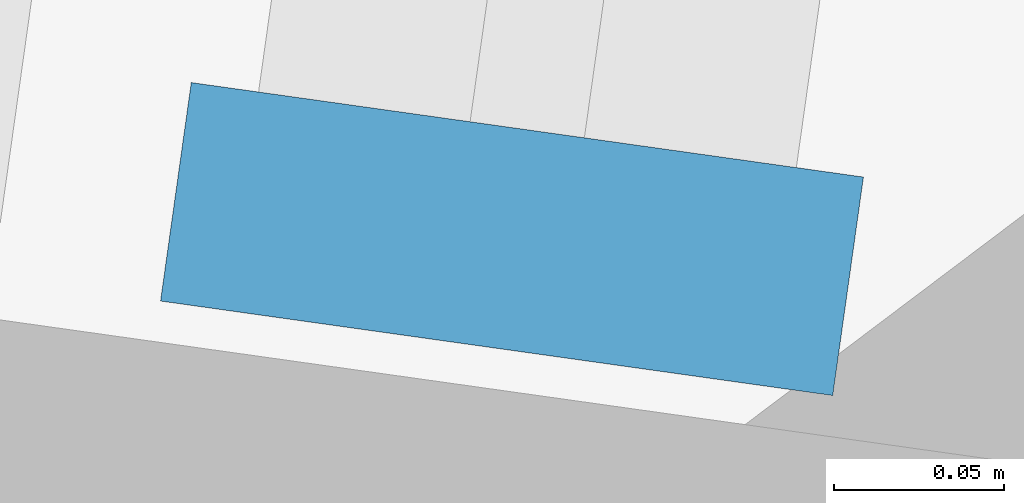
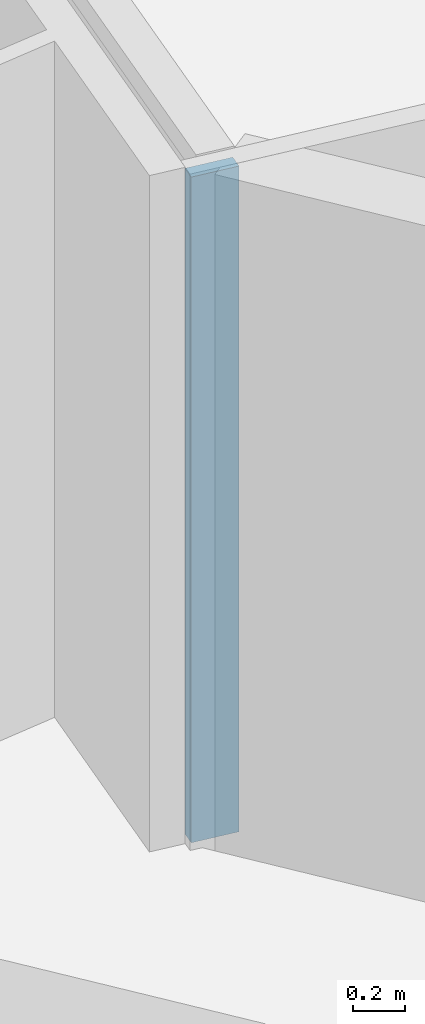
# One storey, part 2 of 46: 1 member, 1 element without a shape of its own.
"""IFC4 building model written with IfcOpenShell, lengths in metres."""

from ifc_helpers import new_model, si_unit, direction, frame, origin, origin_2d, place, context, subcontext, project, spatial, rectangle, extrude, material, material_profile, profile_set, type_object, element, aggregate, save


model = new_model("IFC4")

# Units and contexts
model_context = context("Model", 3, precision=1e-05, world=origin(), true_north=direction((0.0, 1.0)))
body_context = subcontext(model_context, "Body", "Model", "MODEL_VIEW")
ifc_project = project(units=[si_unit("LENGTHUNIT", "METRE"), si_unit("AREAUNIT", "SQUARE_METRE"), si_unit("VOLUMEUNIT", "CUBIC_METRE"), si_unit("PLANEANGLEUNIT", "RADIAN"), si_unit("MASSUNIT", "GRAM", prefix="KILO")], contexts=[model_context])

# Site, building, storey
site_placement = place(None, origin())
site = spatial("IfcSite", under=ifc_project, at=site_placement, CompositionType="ELEMENT")
building_placement = place(site_placement, origin())
building = spatial("IfcBuilding", under=site, at=building_placement, Name="Mirante Cascada Hotel Towers", CompositionType="ELEMENT")
storey_placement = place(building_placement, frame((0.0, 0.0, 39.5)))
storey = spatial("IfcBuildingStorey", under=building, at=storey_placement, Name="L06", CompositionType="ELEMENT", Elevation=39.5)

# Curtain wall, member
ifc_material_1 = material(Name="Aluminium mullion and transom frame with clear laminated glass", Category="aluminium")
curtain_wall_type = type_object("IfcCurtainWallType", Name="End ribbon curtain wall ECW2", PredefinedType="NOTDEFINED", material=ifc_material_1)
curtain_wall_placement = place(storey_placement, origin())
curtain_wall = element("IfcCurtainWall", 1, at=curtain_wall_placement, inside=storey, type_object=curtain_wall_type, Name="Outer end wall T1 L06", PredefinedType="NOTDEFINED")
ifc_material_2 = material(Name="Anodised aluminium extrusion", Category="aluminium")
ifc_material_profile = material_profile(ifc_material_2, rectangle(XDim=0.2, YDim=0.065, at=origin_2d()), Name="ECW2 MULLION 65x200")
ifc_profile_set = profile_set([ifc_material_profile], Name="Anodised aluminium extrusion")
member_type = type_object("IfcMemberType", Name="ECW2 mullion 65x200", PredefinedType="MULLION", material=ifc_profile_set)
member_placement = place(storey_placement, frame((-103.1556, -6.2656, 0.1), z_axis=(0.0, 0.0, 1.0), x_axis=(-0.9902681, 0.1391731, 0.0)))
member = element("IfcMember", 2, at=member_placement, type_object=member_type, Name="ECW2 mullion 1", PredefinedType="MULLION", context=body_context, shape_type="SweptSolid", body=[
    extrude(rectangle(XDim=0.2, YDim=0.065, at=origin_2d()), origin(), (0.0, 0.0, 1.0), 3.15),
])
aggregate(curtain_wall, [member])

save(model, "model.ifc")
